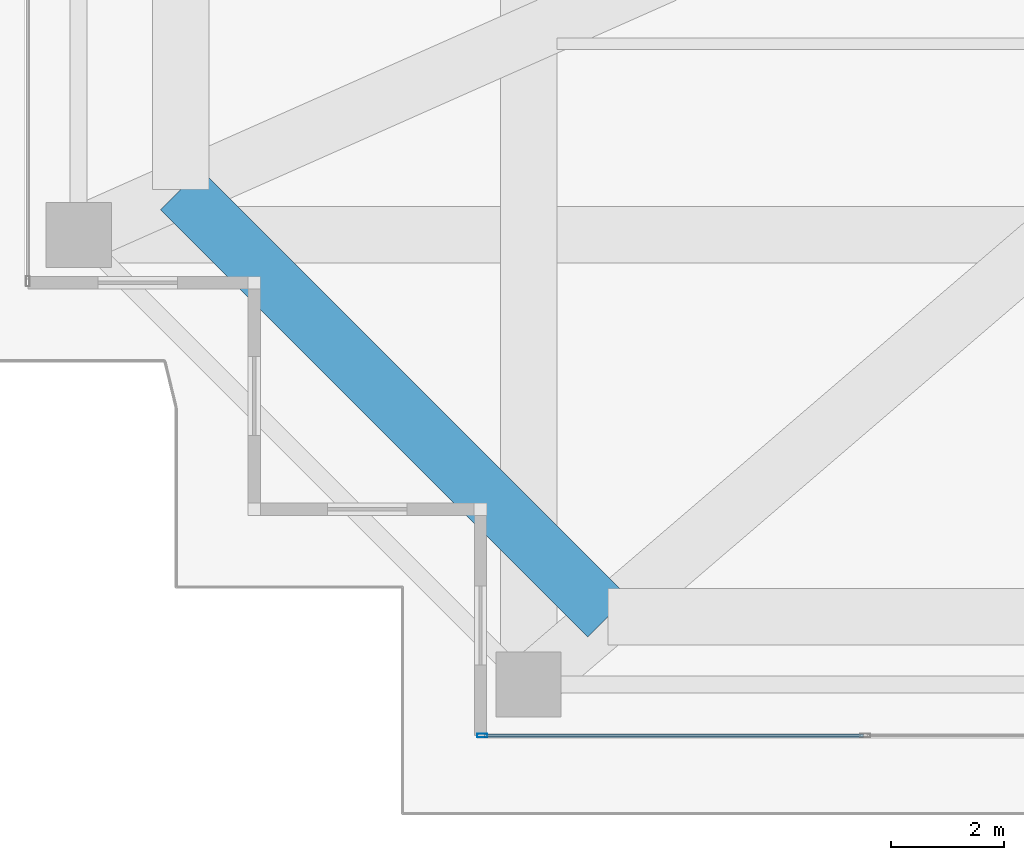
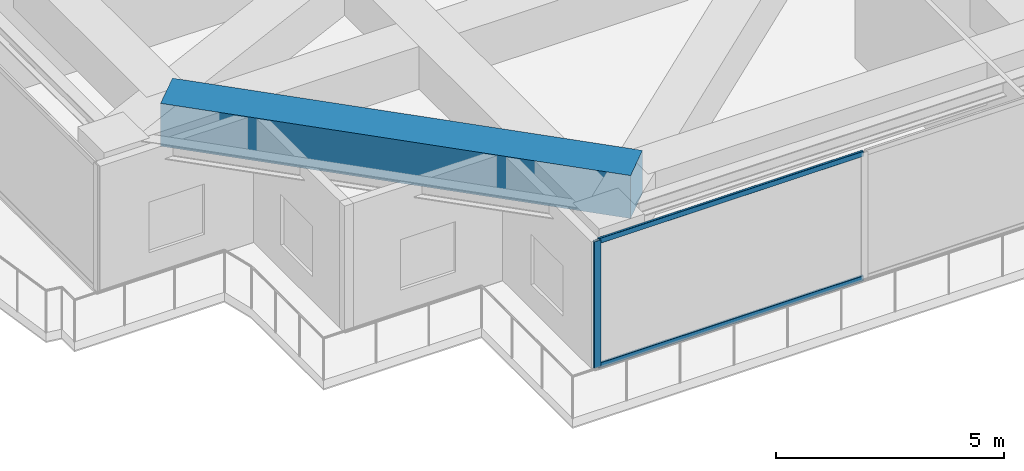
# One storey, part 2 of 39: 3 members, 1 beam, 1 element without a shape of its own.
"""IFC4 building model written with IfcOpenShell, lengths in metres."""

import ifcopenshell
import ifcopenshell.guid

model = None  # the IFC model being written
_history = None  # IfcOwnerHistory: only IFC2X3 demands one
_inside = {}  # id of a spatial element -> (the spatial element, [elements in it])
_under = {}  # id of a project, library or spatial element -> (it, [spatial elements below it])
_declared = {}  # id of a project -> (the project, [libraries it declares])
_typed = {}  # id of a type object -> (the type object, [elements of that type])
_made_of = {}  # id of a material, layer set ... -> (it, [elements and type objects made of it])


def new_model(schema):
    """Start an empty IFC model of exactly this schema.

    Asked for "IFC4X3", IfcOpenShell would pick the latest addendum, in which some entities
    have other attributes; the version numbers below select the first issue.
    IFC2X3 requires an IfcOwnerHistory on every rooted entity: one is made here for all.
    """
    global model, _history
    if schema == "IFC4X3":
        model = ifcopenshell.file(schema_version=(4, 3, 0, 0))
    else:
        model = ifcopenshell.file(schema=schema)
    _inside.clear()
    _under.clear()
    _declared.clear()
    _typed.clear()
    _made_of.clear()
    _history = None
    if model.schema == "IFC2X3":
        org = make("IfcOrganization", Name="unknown")
        user = make(
            "IfcPersonAndOrganization",
            ThePerson=make("IfcPerson", FamilyName="unknown"),
            TheOrganization=org,
        )
        app = make(
            "IfcApplication",
            ApplicationDeveloper=org,
            Version="unknown",
            ApplicationFullName="unknown",
            ApplicationIdentifier="unknown",
        )
        _history = make(
            "IfcOwnerHistory",
            OwningUser=user,
            OwningApplication=app,
            ChangeAction="ADDED",
            CreationDate=0,
        )
    return model


def make(cls, **values):
    """One entity of the class cls with the attributes given. An attribute that is None is left unset."""
    return model.create_entity(
        cls, **{name: value for name, value in values.items() if value is not None}
    )


def rooted(cls, **values):
    """An entity with a GlobalId (a new one), such as an element, a storey or a relation."""
    return make(cls, GlobalId=ifcopenshell.guid.new(), OwnerHistory=_history, **values)


def si_unit(unit_type, name, prefix=None):
    """IfcSIUnit, for example si_unit("LENGTHUNIT", "METRE", prefix="MILLI")."""
    return make("IfcSIUnit", UnitType=unit_type, Prefix=prefix, Name=name)


def assignment(units):
    """IfcUnitAssignment: the units of a project."""
    return None if units is None else make("IfcUnitAssignment", Units=units)


def point(xyz):
    """IfcCartesianPoint."""
    return None if xyz is None else make("IfcCartesianPoint", Coordinates=xyz)


def direction(xyz):
    """IfcDirection."""
    return None if xyz is None else make("IfcDirection", DirectionRatios=xyz)


def frame(location, z_axis=None, x_axis=None):
    """IfcAxis2Placement3D, a coordinate frame: its origin and axes. An axis left out is left unset."""
    return make(
        "IfcAxis2Placement3D",
        Location=point(location),
        Axis=direction(z_axis),
        RefDirection=direction(x_axis),
    )


def frame_2d(location, x_axis=None):
    """IfcAxis2Placement2D, a coordinate frame in the plane: its origin and x axis."""
    return make(
        "IfcAxis2Placement2D", Location=point(location), RefDirection=direction(x_axis)
    )


def origin():
    """The frame at (0, 0, 0) with its axes left unset."""
    return frame((0.0, 0.0, 0.0))


def origin_2d():
    """The frame at (0, 0) in the plane with its x axis left unset."""
    return frame_2d((0.0, 0.0))


def place(relative_to, where):
    """IfcLocalPlacement: puts the frame where relative to a parent placement (None: the world)."""
    return make(
        "IfcLocalPlacement", PlacementRelTo=relative_to, RelativePlacement=where
    )


def context(
    kind, dimensions, precision=None, world=None, true_north=None, identifier=None
):
    """IfcGeometricRepresentationContext, for example the 3D "Model" context."""
    return make(
        "IfcGeometricRepresentationContext",
        ContextIdentifier=identifier,
        ContextType=kind,
        CoordinateSpaceDimension=dimensions,
        Precision=precision,
        WorldCoordinateSystem=world,
        TrueNorth=true_north,
    )


def subcontext(parent, identifier, kind, view, scale=None):
    """IfcGeometricRepresentationSubContext, for example "Body" below "Model"."""
    return make(
        "IfcGeometricRepresentationSubContext",
        ContextIdentifier=identifier,
        ContextType=kind,
        ParentContext=parent,
        TargetScale=scale,
        TargetView=view,
    )


def project(units=None, contexts=None):
    """IfcProject with its units and contexts."""
    return rooted(
        "IfcProject",
        Name="project",
        RepresentationContexts=contexts,
        UnitsInContext=assignment(units),
    )


def spatial(cls, under=None, at=None, **own):
    """A site, building, storey or space (cls), placed at a placement, below another one or the project."""
    s = rooted(cls, ObjectPlacement=at, **own)
    if under is not None:
        _under.setdefault(under.id(), (under, []))[1].append(s)
    return s


def profile(cls, at=None, kind="AREA", **sizes):
    """A parametric profile (cls). Its sizes go by their IFC names, for example OverallWidth=200.0."""
    return make(cls, ProfileType=kind, Position=at, **sizes)


def rectangle(**sizes):
    """IfcRectangleProfileDef."""
    return profile("IfcRectangleProfileDef", **sizes)


def hollow_rectangle(**sizes):
    """IfcRectangleHollowProfileDef."""
    return profile("IfcRectangleHollowProfileDef", **sizes)


def extrude(swept, where, along, depth):
    """IfcExtrudedAreaSolid: the profile swept, set in the frame where, extruded along a direction by depth."""
    return make(
        "IfcExtrudedAreaSolid",
        SweptArea=swept,
        Position=where,
        ExtrudedDirection=direction(along),
        Depth=depth,
    )


def shape(context_of_items, identifier, shape_type, items):
    """IfcShapeRepresentation: the items that make up one representation, for example the "Body"."""
    return make(
        "IfcShapeRepresentation",
        ContextOfItems=context_of_items,
        RepresentationIdentifier=identifier,
        RepresentationType=shape_type,
        Items=items,
    )


def source(mapping_origin, context_of_items, identifier, shape_type, items):
    """IfcRepresentationMap: a shape defined once, which mapped items show again and again."""
    return make(
        "IfcRepresentationMap",
        MappingOrigin=mapping_origin,
        MappedRepresentation=shape(context_of_items, identifier, shape_type, items),
    )


def transform(
    local_origin,
    x_axis=None,
    y_axis=None,
    z_axis=None,
    scale=None,
    scale2=None,
    scale3=None,
    uniform=True,
):
    """IfcCartesianTransformationOperator3D, or its non-uniform kind. x_axis, y_axis, z_axis: its Axis1, 2, 3."""
    if uniform:
        return make(
            "IfcCartesianTransformationOperator3D",
            Axis1=direction(x_axis),
            Axis2=direction(y_axis),
            LocalOrigin=point(local_origin),
            Scale=scale,
            Axis3=direction(z_axis),
        )
    return make(
        "IfcCartesianTransformationOperator3DnonUniform",
        Axis1=direction(x_axis),
        Axis2=direction(y_axis),
        LocalOrigin=point(local_origin),
        Scale=scale,
        Axis3=direction(z_axis),
        Scale2=scale2,
        Scale3=scale3,
    )


def mapped(mapping_source, mapping_target):
    """IfcMappedItem: shows the shape of a source again, moved by a transform."""
    return make(
        "IfcMappedItem", MappingSource=mapping_source, MappingTarget=mapping_target
    )


def material(Name=None, Category=None):
    """IfcMaterial."""
    return make("IfcMaterial", Name=Name, Category=Category)


def layer(
    of_material, thickness, ventilated=None, Name=None, Category=None, Priority=None
):
    """IfcMaterialLayer: one layer of a wall or slab, of a material (None: an air gap)."""
    return make(
        "IfcMaterialLayer",
        Material=of_material,
        LayerThickness=thickness,
        IsVentilated=ventilated,
        Name=Name,
        Category=Category,
        Priority=Priority,
    )


def layer_set(layers, Name=None):
    """IfcMaterialLayerSet."""
    return make("IfcMaterialLayerSet", MaterialLayers=layers, LayerSetName=Name)


def material_profile(
    of_material, cross_section, Name=None, Category=None, Priority=None
):
    """IfcMaterialProfile: a cross section and its material."""
    return make(
        "IfcMaterialProfile",
        Name=Name,
        Material=of_material,
        Profile=cross_section,
        Priority=Priority,
        Category=Category,
    )


def profile_set(profiles, Name=None, composite=None):
    """IfcMaterialProfileSet."""
    return make(
        "IfcMaterialProfileSet",
        Name=Name,
        MaterialProfiles=profiles,
        CompositeProfile=composite,
    )


def made_of(thing, what):
    """Note that an element or type object is made of a material, layer set ...; save() writes the relation."""
    if what is not None:
        _made_of.setdefault(what.id(), (what, []))[1].append(thing)
    return thing


def type_object(cls, material=None, **own):
    """A type object (cls), such as IfcWallType, which elements share."""
    return made_of(rooted(cls, **own), material)


def element(
    cls,
    number,
    at=None,
    inside=None,
    cuts=None,
    type_object=None,
    material=None,
    context=None,
    identifier="Body",
    shape_type=None,
    held_by="IfcProductDefinitionShape",
    body=None,
    shapes=None,
    **own,
):
    """One element of the class cls, such as IfcWall. Its Tag is "e" and its number.

    at: its placement. inside: the storey or other place that contains it. cuts: it is an
    opening in that element (IfcRelVoidsElement). A single representation is given by context,
    identifier, shape_type and body (its items); several are given by shapes. held_by: the class
    of the entity that holds the representations. save() writes the other relations.
    """
    e = rooted(cls, Tag="e%d" % number, ObjectPlacement=at, **own)
    if body is not None:
        shapes = [shape(context, identifier, shape_type, body)]
    if shapes is not None:
        e.Representation = make(held_by, Representations=shapes)
    if inside is not None:
        _inside.setdefault(inside.id(), (inside, []))[1].append(e)
    if cuts is not None:
        rooted(
            "IfcRelVoidsElement", RelatingBuildingElement=cuts, RelatedOpeningElement=e
        )
    if type_object is not None:
        _typed.setdefault(type_object.id(), (type_object, []))[1].append(e)
    return made_of(e, material)


def aggregate(whole, parts):
    """IfcRelAggregates: a whole, such as a stair, and the parts it consists of."""
    return rooted("IfcRelAggregates", RelatingObject=whole, RelatedObjects=parts)


def save(model, path):
    """Write the relations noted so far, then the file.

    IfcRelAggregates (storeys below a building ...), IfcRelContainedInSpatialStructure (elements
    in a storey), IfcRelDefinesByType, IfcRelAssociatesMaterial and IfcRelDeclares: one each for
    every whole, place, type object, material and project.
    """
    for whole, parts in _under.values():
        aggregate(whole, parts)
    for where, things in _inside.values():
        rooted(
            "IfcRelContainedInSpatialStructure",
            RelatedElements=things,
            RelatingStructure=where,
        )
    for kind, things in _typed.values():
        rooted("IfcRelDefinesByType", RelatedObjects=things, RelatingType=kind)
    for what, things in _made_of.values():
        rooted("IfcRelAssociatesMaterial", RelatedObjects=things, RelatingMaterial=what)
    for by, libraries in _declared.values():
        rooted("IfcRelDeclares", RelatingContext=by, RelatedDefinitions=libraries)
    model.write(path)


model = new_model("IFC4")

# Units and contexts
model_context = context("Model", 3, precision=1e-05, world=origin(), true_north=direction((0.0, 1.0)))
body_context = subcontext(model_context, "Body", "Model", "MODEL_VIEW")
ifc_project = project(units=[si_unit("LENGTHUNIT", "METRE"), si_unit("AREAUNIT", "SQUARE_METRE"), si_unit("VOLUMEUNIT", "CUBIC_METRE"), si_unit("PLANEANGLEUNIT", "RADIAN"), si_unit("MASSUNIT", "GRAM", prefix="KILO")], contexts=[model_context])

# Site, building, storey
site_placement = place(None, origin())
site = spatial("IfcSite", under=ifc_project, at=site_placement, CompositionType="ELEMENT")
building_placement = place(site_placement, origin())
building = spatial("IfcBuilding", under=site, at=building_placement, Name="Serunith Strait Residences", CompositionType="ELEMENT")
storey_placement = place(building_placement, frame((0.0, 0.0, 283.60009765625)))
storey = spatial("IfcBuildingStorey", under=building, at=storey_placement, Name="L71", CompositionType="ELEMENT", Elevation=283.60009765625)

# Beam
ifc_material_1 = material(Name="Concrete C80/95", Category="concrete")
ifc_material_profile_1 = material_profile(ifc_material_1, rectangle(XDim=1.0, YDim=1.14990234375, at=origin_2d()), Name="RC 1000x1150")
ifc_profile_set_1 = profile_set([ifc_material_profile_1], Name="Concrete C80/95")
beam_type = type_object("IfcBeamType", Name="BM-XFER-1000x1150", PredefinedType="BEAM", material=ifc_profile_set_1)
shared_shape_1 = source(origin(), body_context, "Body", "SweptSolid", [
    extrude(rectangle(XDim=1.0, YDim=1.14990234375, at=origin_2d()), origin(), (0.0, 0.0, 1.0), 10.67724609375),
])
beam_placement = place(storey_placement, frame((10.10009765625, 10.85009765625, 2.8349609375), z_axis=(0.707095348302, -0.707118213887, 0.0), x_axis=(0.707118213887, 0.707095348302, 0.0)))
element("IfcBeam", 1, at=beam_placement, inside=storey, type_object=beam_type, Name="L71 Flare Upper Ring Transfer Girder 16", PredefinedType="BEAM", context=body_context, shape_type="MappedRepresentation", body=[
    mapped(shared_shape_1, transform((0.0, 0.0, 0.0), scale=1.0)),
])

# Curtain wall, members
ifc_material_2 = material(Name="Pale-Champagne Anodised Aluminium", Category="aluminium")
ifc_layer = layer(ifc_material_2, 0.199951171875, Name="Pale-Champagne Anodised Aluminium")
ifc_layer_set = layer_set([ifc_layer], Name="Pale-Champagne Anodised Aluminium")
curtain_wall_type = type_object("IfcCurtainWallType", Name="CW-SYS4", PredefinedType="NOTDEFINED", material=ifc_layer_set)
curtain_wall_placement = place(storey_placement, origin())
curtain_wall = element("IfcCurtainWall", 2, at=curtain_wall_placement, inside=storey, type_object=curtain_wall_type, Name="L71 S Unitised Fritted Curtain Wall", PredefinedType="NOTDEFINED")
ifc_material_profile_2 = material_profile(ifc_material_2, hollow_rectangle(XDim=0.06005859375, YDim=0.139892578125, WallThickness=0.00341796875, InnerFilletRadius=0.00537109375, OuterFilletRadius=0.0087890625, at=origin_2d()), Name="ALU 140x60x3.5")
ifc_profile_set_2 = profile_set([ifc_material_profile_2], Name="Pale-Champagne Anodised Aluminium")
member_type_1 = type_object("IfcMemberType", Name="CW-SYS4-TRAN", PredefinedType="USERDEFINED", material=ifc_profile_set_2)
shared_shape_2 = source(origin(), body_context, "Body", "SweptSolid", [
    extrude(hollow_rectangle(XDim=0.06005859375, YDim=0.139892578125, WallThickness=0.00341796875, InnerFilletRadius=0.00537109375, OuterFilletRadius=0.0087890625, at=origin_2d()), origin(), (0.0, 0.0, 1.0), 6.702392578125),
])
member_1_placement = place(storey_placement, frame((15.465087890625, 1.199951171875, 0.02978515625), z_axis=(1.0, 0.0, 0.0), x_axis=(0.0, 1.0, 0.0)))
member_1 = element("IfcMember", 3, at=member_1_placement, type_object=member_type_1, Name="CW-4 transom 1.1", ObjectType="TRANSOM", PredefinedType="USERDEFINED", context=body_context, shape_type="MappedRepresentation", body=[
    mapped(shared_shape_2, transform((0.0, 0.0, 0.0), scale=1.0)),
])
member_2_placement = place(storey_placement, frame((15.465087890625, 1.199951171875, 3.364990234375), z_axis=(1.0, 0.0, 0.0), x_axis=(0.0, 1.0, 0.0)))
member_2 = element("IfcMember", 4, at=member_2_placement, type_object=member_type_1, Name="CW-4 transom 1.2", ObjectType="TRANSOM", PredefinedType="USERDEFINED", context=body_context, shape_type="MappedRepresentation", body=[
    mapped(shared_shape_2, transform((0.0, 0.0, 0.0), scale=1.0)),
])
ifc_material_profile_3 = material_profile(ifc_material_2, hollow_rectangle(XDim=0.06494140625, YDim=0.179931640625, WallThickness=0.00341796875, InnerFilletRadius=0.00537109375, OuterFilletRadius=0.0087890625, at=origin_2d()), Name="ALU 180x65x3.5")
ifc_profile_set_3 = profile_set([ifc_material_profile_3], Name="Pale-Champagne Anodised Aluminium")
member_type_2 = type_object("IfcMemberType", Name="CW-SYS4-MULL", PredefinedType="MULLION", material=ifc_profile_set_3)
shared_shape_3 = source(origin(), body_context, "Body", "SweptSolid", [
    extrude(hollow_rectangle(XDim=0.06494140625, YDim=0.179931640625, WallThickness=0.00341796875, InnerFilletRadius=0.00537109375, OuterFilletRadius=0.0087890625, at=origin_2d()), origin(), (0.0, 0.0, 1.0), 3.39501953125),
])
member_3_placement = place(storey_placement, frame((15.4326171875, 1.199951171875, 0.0), z_axis=(0.0, 0.0, 1.0), x_axis=(0.0, 1.0, 0.0)))
member_3 = element("IfcMember", 5, at=member_3_placement, type_object=member_type_2, Name="CW-4 mullion 1", PredefinedType="MULLION", context=body_context, shape_type="MappedRepresentation", body=[
    mapped(shared_shape_3, transform((0.0, 0.0, 0.0), scale=1.0)),
])
aggregate(curtain_wall, [member_3, member_1, member_2])

save(model, "model.ifc")
